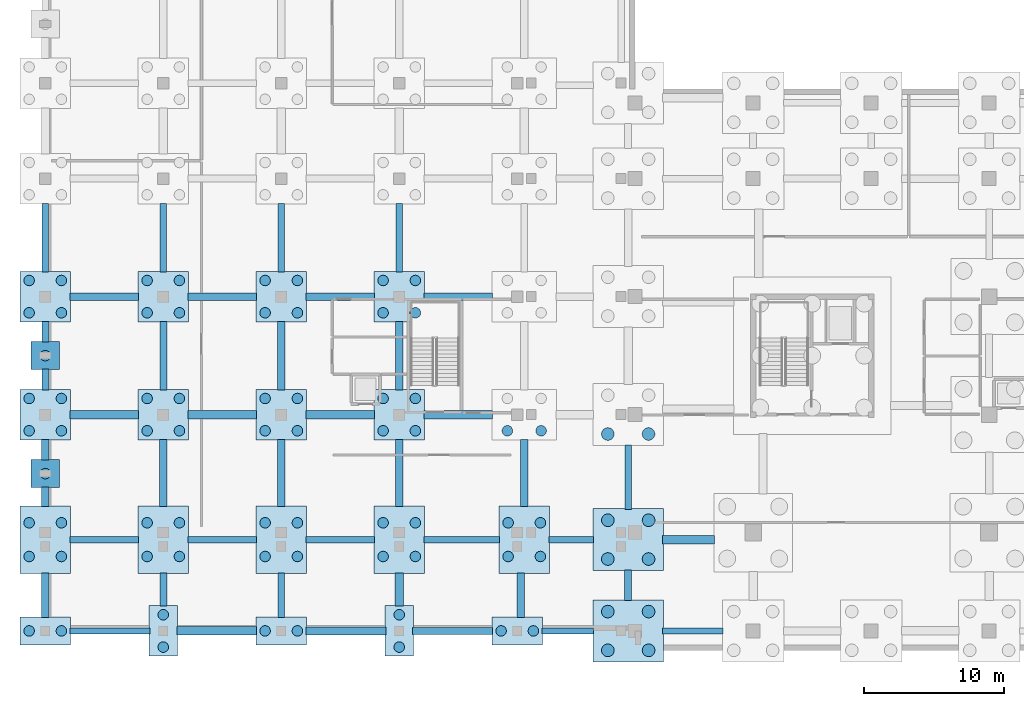
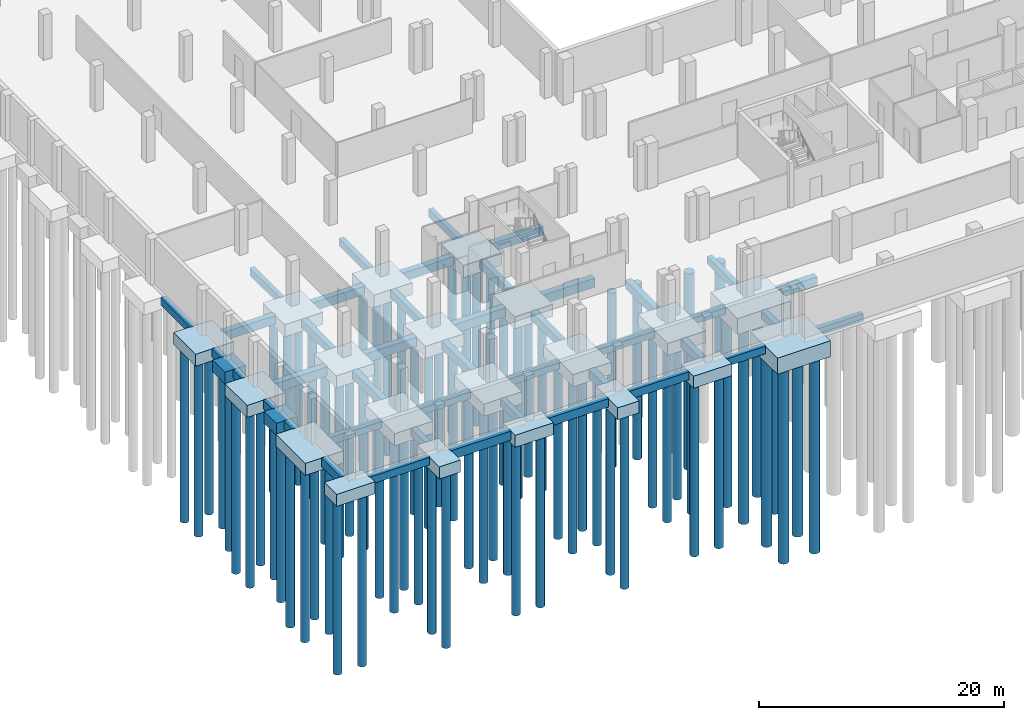
# One storey, part 1 of 17: 76 piles, 64 footings.
"""IFC4 building model written with IfcOpenShell, lengths in metres."""

from ifc_helpers import new_model, si_unit, direction, frame, origin, origin_2d, place, context, subcontext, project, spatial, rectangle, circle, extrude, material, material_profile, profile_set, type_object, element, save


model = new_model("IFC4")

# Units and contexts
model_context = context("Model", 3, precision=1e-05, world=origin(), true_north=direction((0.0, 1.0)))
body_context = subcontext(model_context, "Body", "Model", "MODEL_VIEW")
ifc_project = project(units=[si_unit("LENGTHUNIT", "METRE"), si_unit("AREAUNIT", "SQUARE_METRE"), si_unit("VOLUMEUNIT", "CUBIC_METRE"), si_unit("PLANEANGLEUNIT", "RADIAN"), si_unit("MASSUNIT", "GRAM", prefix="KILO")], contexts=[model_context])

# Site, building, storey
site_placement = place(None, origin())
site = spatial("IfcSite", under=ifc_project, at=site_placement, CompositionType="ELEMENT")
building_placement = place(site_placement, origin())
building = spatial("IfcBuilding", under=site, at=building_placement, Name="Telukmera Botanical Conservatory", CompositionType="ELEMENT")
storey_placement = place(building_placement, frame((0.0, 0.0, -4.5)))
storey = spatial("IfcBuildingStorey", under=building, at=storey_placement, Name="B1", CompositionType="ELEMENT", Elevation=-4.5)

# Footings
ifc_material_1 = material(Name="Concrete C50/60", Category="concrete")
footing_type_1 = type_object("IfcFootingType", Name="Cap_PC1", PredefinedType="PILE_CAP", material=ifc_material_1)
for number, where, z_axis, x_axis, name in (
    (1, (8.39990234375, 21.800048828125, -1.64990234375), (0.0, 0.0, 1.0), (1.0, 0.0, 0.0), "Pile Cap G132"),
    (2, (8.39990234375, 30.199951171875, -1.64990234375), (0.0, 0.0, 1.0), (1.0, 0.0, 0.0), "Pile Cap G133"),
):
    element("IfcFooting", number, at=place(storey_placement, frame(where, z_axis=z_axis, x_axis=x_axis)), inside=storey, type_object=footing_type_1, Name=name, PredefinedType="PILE_CAP", context=body_context, shape_type="SweptSolid", body=[
        extrude(rectangle(XDim=2.0, YDim=2.0, at=origin_2d()), origin(), (0.0, 0.0, 1.0), 1.199951171875),
    ])
footing_type_2 = type_object("IfcFootingType", Name="Cap_PC2", PredefinedType="PILE_CAP", material=ifc_material_1)
for number, where, z_axis, x_axis, name in (
    (3, (8.39990234375, 10.60009765625, -1.64990234375), (0.0, 0.0, 1.0), (1.0, 0.0, 0.0), "Pile Cap G136"),
    (4, (25.199951171875, 10.60009765625, -1.64990234375), (0.0, 0.0, 1.0), (1.0, 0.0, 0.0), "Pile Cap G138"),
    (5, (42.0, 10.60009765625, -1.64990234375), (0.0, 0.0, 1.0), (1.0, 0.0, 0.0), "Pile Cap G140"),
):
    element("IfcFooting", number, at=place(storey_placement, frame(where, z_axis=z_axis, x_axis=x_axis)), inside=storey, type_object=footing_type_2, Name=name, PredefinedType="PILE_CAP", context=body_context, shape_type="SweptSolid", body=[
        extrude(rectangle(XDim=3.60009765625, YDim=2.0, at=origin_2d()), origin(), (0.0, 0.0, 1.0), 1.199951171875),
    ])
footing_type_3 = type_object("IfcFootingType", Name="Cap_PC3", PredefinedType="PILE_CAP", material=ifc_material_1)
for number, where, z_axis, x_axis, name in (
    (6, (16.800048828125, 10.60009765625, -1.64990234375), (0.0, 0.0, 1.0), (1.0, 0.0, 0.0), "Pile Cap G137"),
    (7, (33.60009765625, 10.60009765625, -1.64990234375), (0.0, 0.0, 1.0), (1.0, 0.0, 0.0), "Pile Cap G139"),
):
    element("IfcFooting", number, at=place(storey_placement, frame(where, z_axis=z_axis, x_axis=x_axis)), inside=storey, type_object=footing_type_3, Name=name, PredefinedType="PILE_CAP", context=body_context, shape_type="SweptSolid", body=[
        extrude(rectangle(XDim=2.0, YDim=3.60009765625, at=origin_2d()), origin(), (0.0, 0.0, 1.0), 1.199951171875),
    ])
footing_type_4 = type_object("IfcFootingType", Name="Cap_PC4", PredefinedType="PILE_CAP", material=ifc_material_1)
for number, where, z_axis, x_axis, name in (
    (8, (8.39990234375, 26.0, -1.64990234375), (0.0, 0.0, 1.0), (1.0, 0.0, 0.0), "Pile Cap G093"),
    (9, (8.39990234375, 34.39990234375, -1.64990234375), (0.0, 0.0, 1.0), (1.0, 0.0, 0.0), "Pile Cap G094"),
    (10, (16.800048828125, 26.0, -1.64990234375), (0.0, 0.0, 1.0), (1.0, 0.0, 0.0), "Pile Cap G101"),
    (11, (16.800048828125, 34.39990234375, -1.64990234375), (0.0, 0.0, 1.0), (1.0, 0.0, 0.0), "Pile Cap G102"),
    (12, (25.199951171875, 26.0, -1.64990234375), (0.0, 0.0, 1.0), (1.0, 0.0, 0.0), "Pile Cap G109"),
    (13, (25.199951171875, 34.39990234375, -1.64990234375), (0.0, 0.0, 1.0), (1.0, 0.0, 0.0), "Pile Cap G110"),
    (14, (33.60009765625, 26.0, -1.64990234375), (0.0, 0.0, 1.0), (1.0, 0.0, 0.0), "Pile Cap G117"),
    (15, (33.60009765625, 34.39990234375, -1.64990234375), (0.0, 0.0, 1.0), (1.0, 0.0, 0.0), "Pile Cap G118"),
):
    element("IfcFooting", number, at=place(storey_placement, frame(where, z_axis=z_axis, x_axis=x_axis)), inside=storey, type_object=footing_type_4, Name=name, PredefinedType="PILE_CAP", context=body_context, shape_type="SweptSolid", body=[
        extrude(rectangle(XDim=3.60009765625, YDim=3.60009765625, at=origin_2d()), origin(), (0.0, 0.0, 1.0), 1.199951171875),
    ])
footing_type_5 = type_object("IfcFootingType", Name="Cap_PC6", PredefinedType="PILE_CAP", material=ifc_material_1)
for number, where, z_axis, x_axis, name in (
    (16, (8.39990234375, 17.10009765625, -1.64990234375), (0.0, 0.0, 1.0), (1.0, 0.0, 0.0), "Pile Cap G092"),
    (17, (16.800048828125, 17.10009765625, -1.64990234375), (0.0, 0.0, 1.0), (1.0, 0.0, 0.0), "Pile Cap G100"),
    (18, (25.199951171875, 17.10009765625, -1.64990234375), (0.0, 0.0, 1.0), (1.0, 0.0, 0.0), "Pile Cap G108"),
    (19, (33.60009765625, 17.10009765625, -1.64990234375), (0.0, 0.0, 1.0), (1.0, 0.0, 0.0), "Pile Cap G116"),
    (20, (42.5, 17.10009765625, -1.64990234375), (0.0, 0.0, 1.0), (1.0, 0.0, 0.0), "Pile Cap G124"),
):
    element("IfcFooting", number, at=place(storey_placement, frame(where, z_axis=z_axis, x_axis=x_axis)), inside=storey, type_object=footing_type_5, Name=name, PredefinedType="PILE_CAP", context=body_context, shape_type="SweptSolid", body=[
        extrude(rectangle(XDim=3.60009765625, YDim=4.800048828125, at=origin_2d()), origin(), (0.0, 0.0, 1.0), 1.199951171875),
    ])
footing_type_6 = type_object("IfcFootingType", Name="Cap_PC8", PredefinedType="PILE_CAP", material=ifc_material_1)
for number, where, z_axis, x_axis, name in (
    (21, (49.89990234375, 10.60009765625, -2.050048828125), (0.0, 0.0, 1.0), (1.0, 0.0, 0.0), "Pile Cap G001"),
    (22, (49.89990234375, 17.10009765625, -2.050048828125), (0.0, 0.0, 1.0), (1.0, 0.0, 0.0), "Pile Cap G002"),
):
    element("IfcFooting", number, at=place(storey_placement, frame(where, z_axis=z_axis, x_axis=x_axis)), inside=storey, type_object=footing_type_6, Name=name, PredefinedType="PILE_CAP", context=body_context, shape_type="SweptSolid", body=[
        extrude(rectangle(XDim=5.0, YDim=4.39990234375, at=origin_2d()), origin(), (0.0, 0.0, 1.0), 1.60009765625),
    ])
ifc_material_2 = material(Name="Concrete C40/50", Category="concrete")
ifc_material_profile_1 = material_profile(ifc_material_2, rectangle(XDim=0.60009765625, YDim=0.89990234375, at=origin_2d()), Name="RC 600x900")
ifc_profile_set_1 = profile_set([ifc_material_profile_1], Name="Concrete C40/50")
footing_type_7 = type_object("IfcFootingType", Name="GroundBeam_GB1", PredefinedType="FOOTING_BEAM", material=ifc_profile_set_1)
footing_1_placement = place(storey_placement, frame((52.360107421875, 17.10009765625, -0.89990234375), z_axis=(1.0, 0.0, 0.0), x_axis=(0.0, 1.0, 0.0)))
element("IfcFooting", 23, at=footing_1_placement, inside=storey, type_object=footing_type_7, Name="Ground Tie Beam GBX-004", PredefinedType="FOOTING_BEAM", context=body_context, shape_type="SweptSolid", body=[
    extrude(rectangle(XDim=0.60009765625, YDim=0.89990234375, at=origin_2d()), origin(), (0.0, 0.0, 1.0), 3.679931640625),
])
footing_2_placement = place(storey_placement, frame((10.159912109375, 26.0, -0.89990234375), z_axis=(1.0, 0.0, 0.0), x_axis=(0.0, 1.0, 0.0)))
element("IfcFooting", 24, at=footing_2_placement, inside=storey, type_object=footing_type_7, Name="Ground Tie Beam GBX-080", PredefinedType="FOOTING_BEAM", context=body_context, shape_type="SweptSolid", body=[
    extrude(rectangle(XDim=0.60009765625, YDim=0.89990234375, at=origin_2d()), origin(), (0.0, 0.0, 1.0), 4.880126953125),
])
footing_3_placement = place(storey_placement, frame((18.56005859375, 26.0, -0.89990234375), z_axis=(1.0, 0.0, 0.0), x_axis=(0.0, 1.0, 0.0)))
element("IfcFooting", 25, at=footing_3_placement, inside=storey, type_object=footing_type_7, Name="Ground Tie Beam GBX-088", PredefinedType="FOOTING_BEAM", context=body_context, shape_type="SweptSolid", body=[
    extrude(rectangle(XDim=0.60009765625, YDim=0.89990234375, at=origin_2d()), origin(), (0.0, 0.0, 1.0), 4.8798828125),
])
footing_4_placement = place(storey_placement, frame((26.9599609375, 26.0, -0.89990234375), z_axis=(1.0, 0.0, 0.0), x_axis=(0.0, 1.0, 0.0)))
element("IfcFooting", 26, at=footing_4_placement, inside=storey, type_object=footing_type_7, Name="Ground Tie Beam GBX-096", PredefinedType="FOOTING_BEAM", context=body_context, shape_type="SweptSolid", body=[
    extrude(rectangle(XDim=0.60009765625, YDim=0.89990234375, at=origin_2d()), origin(), (0.0, 0.0, 1.0), 4.880126953125),
])
footing_5_placement = place(storey_placement, frame((35.360107421875, 26.0, -0.89990234375), z_axis=(1.0, 0.0, 0.0), x_axis=(0.0, 1.0, 0.0)))
element("IfcFooting", 27, at=footing_5_placement, inside=storey, type_object=footing_type_7, Name="Ground Tie Beam GBX-104", PredefinedType="FOOTING_BEAM", context=body_context, shape_type="SweptSolid", body=[
    extrude(rectangle(XDim=0.60009765625, YDim=0.89990234375, at=origin_2d()), origin(), (0.0, 0.0, 1.0), 4.8798828125),
])
footing_6_placement = place(storey_placement, frame((17.760009765625, 10.60009765625, -0.89990234375), z_axis=(1.0, 0.0, 0.0), x_axis=(0.0, 1.0, 0.0)))
element("IfcFooting", 28, at=footing_6_placement, inside=storey, type_object=footing_type_7, Name="Ground Tie Beam GBX-120", PredefinedType="FOOTING_BEAM", context=body_context, shape_type="SweptSolid", body=[
    extrude(rectangle(XDim=0.60009765625, YDim=0.89990234375, at=origin_2d()), origin(), (0.0, 0.0, 1.0), 5.679931640625),
])
footing_7_placement = place(storey_placement, frame((33.60009765625, 12.360107421875, -0.89990234375), z_axis=(0.0, 1.0, 0.0), x_axis=(-1.0, 0.0, 0.0)))
element("IfcFooting", 29, at=footing_7_placement, inside=storey, type_object=footing_type_7, Name="Ground Tie Beam GBY-240", PredefinedType="FOOTING_BEAM", context=body_context, shape_type="SweptSolid", body=[
    extrude(rectangle(XDim=0.60009765625, YDim=0.89990234375, at=origin_2d()), origin(), (0.0, 0.0, 1.0), 2.3798828125),
])
ifc_material_profile_2 = material_profile(ifc_material_2, rectangle(XDim=0.550048828125, YDim=0.85009765625, at=origin_2d()), Name="RC 550x850")
ifc_profile_set_2 = profile_set([ifc_material_profile_2], Name="Concrete C40/50")
footing_type_8 = type_object("IfcFootingType", Name="GroundBeam_GB2", PredefinedType="FOOTING_BEAM", material=ifc_profile_set_2)
footing_8_placement = place(storey_placement, frame((10.159912109375, 34.39990234375, -0.875), z_axis=(1.0, 0.0, 0.0), x_axis=(0.0, 1.0, 0.0)))
element("IfcFooting", 30, at=footing_8_placement, inside=storey, type_object=footing_type_8, Name="Ground Tie Beam GBX-081", PredefinedType="FOOTING_BEAM", context=body_context, shape_type="SweptSolid", body=[
    extrude(rectangle(XDim=0.550048828125, YDim=0.85009765625, at=origin_2d()), origin(), (0.0, 0.0, 1.0), 4.880126953125),
])
footing_9_placement = place(storey_placement, frame((18.56005859375, 34.39990234375, -0.875), z_axis=(1.0, 0.0, 0.0), x_axis=(0.0, 1.0, 0.0)))
element("IfcFooting", 31, at=footing_9_placement, inside=storey, type_object=footing_type_8, Name="Ground Tie Beam GBX-089", PredefinedType="FOOTING_BEAM", context=body_context, shape_type="SweptSolid", body=[
    extrude(rectangle(XDim=0.550048828125, YDim=0.85009765625, at=origin_2d()), origin(), (0.0, 0.0, 1.0), 4.8798828125),
])
footing_10_placement = place(storey_placement, frame((26.9599609375, 34.39990234375, -0.875), z_axis=(1.0, 0.0, 0.0), x_axis=(0.0, 1.0, 0.0)))
element("IfcFooting", 32, at=footing_10_placement, inside=storey, type_object=footing_type_8, Name="Ground Tie Beam GBX-097", PredefinedType="FOOTING_BEAM", context=body_context, shape_type="SweptSolid", body=[
    extrude(rectangle(XDim=0.550048828125, YDim=0.85009765625, at=origin_2d()), origin(), (0.0, 0.0, 1.0), 4.880126953125),
])
footing_11_placement = place(storey_placement, frame((35.360107421875, 34.39990234375, -0.875), z_axis=(1.0, 0.0, 0.0), x_axis=(0.0, 1.0, 0.0)))
element("IfcFooting", 33, at=footing_11_placement, inside=storey, type_object=footing_type_8, Name="Ground Tie Beam GBX-105", PredefinedType="FOOTING_BEAM", context=body_context, shape_type="SweptSolid", body=[
    extrude(rectangle(XDim=0.550048828125, YDim=0.85009765625, at=origin_2d()), origin(), (0.0, 0.0, 1.0), 4.8798828125),
])
footing_12_placement = place(storey_placement, frame((26.9599609375, 10.60009765625, -0.875), z_axis=(1.0, 0.0, 0.0), x_axis=(0.0, 1.0, 0.0)))
element("IfcFooting", 34, at=footing_12_placement, inside=storey, type_object=footing_type_8, Name="Ground Tie Beam GBX-121", PredefinedType="FOOTING_BEAM", context=body_context, shape_type="SweptSolid", body=[
    extrude(rectangle(XDim=0.550048828125, YDim=0.85009765625, at=origin_2d()), origin(), (0.0, 0.0, 1.0), 5.679931640625),
])
footing_13_placement = place(storey_placement, frame((8.39990234375, 19.4599609375, -0.875), z_axis=(0.0, 1.0, 0.0), x_axis=(-1.0, 0.0, 0.0)))
element("IfcFooting", 35, at=footing_13_placement, inside=storey, type_object=footing_type_8, Name="Ground Tie Beam GBY-193", PredefinedType="FOOTING_BEAM", context=body_context, shape_type="SweptSolid", body=[
    extrude(rectangle(XDim=0.550048828125, YDim=0.85009765625, at=origin_2d()), origin(), (0.0, 0.0, 1.0), 1.380126953125),
])
for number, where, z_axis, x_axis, name in (
    (36, (16.800048828125, 19.4599609375, -0.875), (0.0, 1.0, 0.0), (-1.0, 0.0, 0.0), "Ground Tie Beam GBY-201"),
    (37, (25.199951171875, 19.4599609375, -0.875), (0.0, 1.0, 0.0), (-1.0, 0.0, 0.0), "Ground Tie Beam GBY-209"),
    (38, (33.60009765625, 19.4599609375, -0.875), (0.0, 1.0, 0.0), (-1.0, 0.0, 0.0), "Ground Tie Beam GBY-217"),
    (39, (42.5, 19.4599609375, -0.875), (0.0, 1.0, 0.0), (-1.0, 0.0, 0.0), "Ground Tie Beam GBY-225"),
):
    element("IfcFooting", number, at=place(storey_placement, frame(where, z_axis=z_axis, x_axis=x_axis)), inside=storey, type_object=footing_type_8, Name=name, PredefinedType="FOOTING_BEAM", context=body_context, shape_type="SweptSolid", body=[
        extrude(rectangle(XDim=0.550048828125, YDim=0.85009765625, at=origin_2d()), origin(), (0.0, 0.0, 1.0), 4.780029296875),
    ])
footing_14_placement = place(storey_placement, frame((8.39990234375, 22.760009765625, -0.875), z_axis=(0.0, 1.0, 0.0), x_axis=(-1.0, 0.0, 0.0)))
element("IfcFooting", 40, at=footing_14_placement, inside=storey, type_object=footing_type_8, Name="Ground Tie Beam GBY-233", PredefinedType="FOOTING_BEAM", context=body_context, shape_type="SweptSolid", body=[
    extrude(rectangle(XDim=0.550048828125, YDim=0.85009765625, at=origin_2d()), origin(), (0.0, 0.0, 1.0), 1.47998046875),
])
for number, where, z_axis, x_axis, name in (
    (41, (8.39990234375, 11.56005859375, -0.875), (0.0, 1.0, 0.0), (-1.0, 0.0, 0.0), "Ground Tie Beam GBY-237"),
    (42, (42.25, 11.56005859375, -0.875), (0.0, 1.0, 0.0), (-1.0, 0.0, 0.0), "Ground Tie Beam GBY-241"),
):
    element("IfcFooting", number, at=place(storey_placement, frame(where, z_axis=z_axis, x_axis=x_axis)), inside=storey, type_object=footing_type_8, Name=name, PredefinedType="FOOTING_BEAM", context=body_context, shape_type="SweptSolid", body=[
        extrude(rectangle(XDim=0.550048828125, YDim=0.85009765625, at=origin_2d()), origin(), (0.0, 0.0, 1.0), 3.179931640625),
    ])
ifc_material_profile_3 = material_profile(ifc_material_2, rectangle(XDim=0.5, YDim=0.800048828125, at=origin_2d()), Name="RC 500x800")
ifc_profile_set_3 = profile_set([ifc_material_profile_3], Name="Concrete C40/50")
footing_type_9 = type_object("IfcFootingType", Name="GroundBeam_GB3", PredefinedType="FOOTING_BEAM", material=ifc_profile_set_3)
footing_15_placement = place(storey_placement, frame((34.56005859375, 10.60009765625, -0.85009765625), z_axis=(1.0, 0.0, 0.0), x_axis=(0.0, 1.0, 0.0)))
element("IfcFooting", 43, at=footing_15_placement, inside=storey, type_object=footing_type_9, Name="Ground Tie Beam GBX-122", PredefinedType="FOOTING_BEAM", context=body_context, shape_type="SweptSolid", body=[
    extrude(rectangle(XDim=0.5, YDim=0.800048828125, at=origin_2d()), origin(), (0.0, 0.0, 1.0), 5.679931640625),
])
footing_16_placement = place(storey_placement, frame((49.89990234375, 12.760009765625, -0.85009765625), z_axis=(0.0, 1.0, 0.0), x_axis=(-1.0, 0.0, 0.0)))
element("IfcFooting", 44, at=footing_16_placement, inside=storey, type_object=footing_type_9, Name="Ground Tie Beam GBY-126", PredefinedType="FOOTING_BEAM", context=body_context, shape_type="SweptSolid", body=[
    extrude(rectangle(XDim=0.5, YDim=0.800048828125, at=origin_2d()), origin(), (0.0, 0.0, 1.0), 2.179931640625),
])
footing_17_placement = place(storey_placement, frame((8.39990234375, 27.760009765625, -0.85009765625), z_axis=(0.0, 1.0, 0.0), x_axis=(-1.0, 0.0, 0.0)))
element("IfcFooting", 45, at=footing_17_placement, inside=storey, type_object=footing_type_9, Name="Ground Tie Beam GBY-194", PredefinedType="FOOTING_BEAM", context=body_context, shape_type="SweptSolid", body=[
    extrude(rectangle(XDim=0.5, YDim=0.800048828125, at=origin_2d()), origin(), (0.0, 0.0, 1.0), 1.47998046875),
])
for number, where, z_axis, x_axis, name in (
    (46, (16.800048828125, 27.760009765625, -0.85009765625), (0.0, 1.0, 0.0), (-1.0, 0.0, 0.0), "Ground Tie Beam GBY-202"),
    (47, (25.199951171875, 27.760009765625, -0.85009765625), (0.0, 1.0, 0.0), (-1.0, 0.0, 0.0), "Ground Tie Beam GBY-210"),
    (48, (33.60009765625, 27.760009765625, -0.85009765625), (0.0, 1.0, 0.0), (-1.0, 0.0, 0.0), "Ground Tie Beam GBY-218"),
):
    element("IfcFooting", number, at=place(storey_placement, frame(where, z_axis=z_axis, x_axis=x_axis)), inside=storey, type_object=footing_type_9, Name=name, PredefinedType="FOOTING_BEAM", context=body_context, shape_type="SweptSolid", body=[
        extrude(rectangle(XDim=0.5, YDim=0.800048828125, at=origin_2d()), origin(), (0.0, 0.0, 1.0), 4.8798828125),
    ])
footing_18_placement = place(storey_placement, frame((8.39990234375, 31.159912109375, -0.85009765625), z_axis=(0.0, 1.0, 0.0), x_axis=(-1.0, 0.0, 0.0)))
element("IfcFooting", 49, at=footing_18_placement, inside=storey, type_object=footing_type_9, Name="Ground Tie Beam GBY-234", PredefinedType="FOOTING_BEAM", context=body_context, shape_type="SweptSolid", body=[
    extrude(rectangle(XDim=0.5, YDim=0.800048828125, at=origin_2d()), origin(), (0.0, 0.0, 1.0), 1.47998046875),
])
footing_19_placement = place(storey_placement, frame((16.800048828125, 12.360107421875, -0.85009765625), z_axis=(0.0, 1.0, 0.0), x_axis=(-1.0, 0.0, 0.0)))
element("IfcFooting", 50, at=footing_19_placement, inside=storey, type_object=footing_type_9, Name="Ground Tie Beam GBY-238", PredefinedType="FOOTING_BEAM", context=body_context, shape_type="SweptSolid", body=[
    extrude(rectangle(XDim=0.5, YDim=0.800048828125, at=origin_2d()), origin(), (0.0, 0.0, 1.0), 2.3798828125),
])
ifc_material_profile_4 = material_profile(ifc_material_2, rectangle(XDim=0.449951171875, YDim=0.75, at=origin_2d()), Name="RC 450x750")
ifc_profile_set_4 = profile_set([ifc_material_profile_4], Name="Concrete C40/50")
footing_type_10 = type_object("IfcFootingType", Name="GroundBeam_GB4", PredefinedType="FOOTING_BEAM", material=ifc_profile_set_4)
footing_20_placement = place(storey_placement, frame((52.360107421875, 10.60009765625, -0.824951171875), z_axis=(1.0, 0.0, 0.0), x_axis=(0.0, 1.0, 0.0)))
element("IfcFooting", 51, at=footing_20_placement, inside=storey, type_object=footing_type_10, Name="Ground Tie Beam GBX-003", PredefinedType="FOOTING_BEAM", context=body_context, shape_type="SweptSolid", body=[
    extrude(rectangle(XDim=0.449951171875, YDim=0.75, at=origin_2d()), origin(), (0.0, 0.0, 1.0), 4.27978515625),
])
footing_21_placement = place(storey_placement, frame((10.159912109375, 17.10009765625, -0.824951171875), z_axis=(1.0, 0.0, 0.0), x_axis=(0.0, 1.0, 0.0)))
element("IfcFooting", 52, at=footing_21_placement, inside=storey, type_object=footing_type_10, Name="Ground Tie Beam GBX-079", PredefinedType="FOOTING_BEAM", context=body_context, shape_type="SweptSolid", body=[
    extrude(rectangle(XDim=0.449951171875, YDim=0.75, at=origin_2d()), origin(), (0.0, 0.0, 1.0), 4.880126953125),
])
footing_22_placement = place(storey_placement, frame((18.56005859375, 17.10009765625, -0.824951171875), z_axis=(1.0, 0.0, 0.0), x_axis=(0.0, 1.0, 0.0)))
element("IfcFooting", 53, at=footing_22_placement, inside=storey, type_object=footing_type_10, Name="Ground Tie Beam GBX-087", PredefinedType="FOOTING_BEAM", context=body_context, shape_type="SweptSolid", body=[
    extrude(rectangle(XDim=0.449951171875, YDim=0.75, at=origin_2d()), origin(), (0.0, 0.0, 1.0), 4.8798828125),
])
footing_23_placement = place(storey_placement, frame((26.9599609375, 17.10009765625, -0.824951171875), z_axis=(1.0, 0.0, 0.0), x_axis=(0.0, 1.0, 0.0)))
element("IfcFooting", 54, at=footing_23_placement, inside=storey, type_object=footing_type_10, Name="Ground Tie Beam GBX-095", PredefinedType="FOOTING_BEAM", context=body_context, shape_type="SweptSolid", body=[
    extrude(rectangle(XDim=0.449951171875, YDim=0.75, at=origin_2d()), origin(), (0.0, 0.0, 1.0), 4.880126953125),
])
footing_24_placement = place(storey_placement, frame((35.360107421875, 17.10009765625, -0.824951171875), z_axis=(1.0, 0.0, 0.0), x_axis=(0.0, 1.0, 0.0)))
element("IfcFooting", 55, at=footing_24_placement, inside=storey, type_object=footing_type_10, Name="Ground Tie Beam GBX-103", PredefinedType="FOOTING_BEAM", context=body_context, shape_type="SweptSolid", body=[
    extrude(rectangle(XDim=0.449951171875, YDim=0.75, at=origin_2d()), origin(), (0.0, 0.0, 1.0), 5.3798828125),
])
footing_25_placement = place(storey_placement, frame((44.260009765625, 17.10009765625, -0.824951171875), z_axis=(1.0, 0.0, 0.0), x_axis=(0.0, 1.0, 0.0)))
element("IfcFooting", 56, at=footing_25_placement, inside=storey, type_object=footing_type_10, Name="Ground Tie Beam GBX-111", PredefinedType="FOOTING_BEAM", context=body_context, shape_type="SweptSolid", body=[
    extrude(rectangle(XDim=0.449951171875, YDim=0.75, at=origin_2d()), origin(), (0.0, 0.0, 1.0), 3.179931640625),
])
footing_26_placement = place(storey_placement, frame((10.159912109375, 10.60009765625, -0.824951171875), z_axis=(1.0, 0.0, 0.0), x_axis=(0.0, 1.0, 0.0)))
element("IfcFooting", 57, at=footing_26_placement, inside=storey, type_object=footing_type_10, Name="Ground Tie Beam GBX-119", PredefinedType="FOOTING_BEAM", context=body_context, shape_type="SweptSolid", body=[
    extrude(rectangle(XDim=0.449951171875, YDim=0.75, at=origin_2d()), origin(), (0.0, 0.0, 1.0), 5.68017578125),
])
footing_27_placement = place(storey_placement, frame((43.760009765625, 10.60009765625, -0.824951171875), z_axis=(1.0, 0.0, 0.0), x_axis=(0.0, 1.0, 0.0)))
element("IfcFooting", 58, at=footing_27_placement, inside=storey, type_object=footing_type_10, Name="Ground Tie Beam GBX-123", PredefinedType="FOOTING_BEAM", context=body_context, shape_type="SweptSolid", body=[
    extrude(rectangle(XDim=0.449951171875, YDim=0.75, at=origin_2d()), origin(), (0.0, 0.0, 1.0), 3.679931640625),
])
footing_28_placement = place(storey_placement, frame((49.89990234375, 19.260009765625, -0.824951171875), z_axis=(0.0, 1.0, 0.0), x_axis=(-1.0, 0.0, 0.0)))
element("IfcFooting", 59, at=footing_28_placement, inside=storey, type_object=footing_type_10, Name="Ground Tie Beam GBY-127", PredefinedType="FOOTING_BEAM", context=body_context, shape_type="SweptSolid", body=[
    extrude(rectangle(XDim=0.449951171875, YDim=0.75, at=origin_2d()), origin(), (0.0, 0.0, 1.0), 4.580078125),
])
for number, where, z_axis, x_axis, name in (
    (60, (8.39990234375, 36.159912109375, -0.824951171875), (0.0, 1.0, 0.0), (-1.0, 0.0, 0.0), "Ground Tie Beam GBY-195"),
    (61, (16.800048828125, 36.159912109375, -0.824951171875), (0.0, 1.0, 0.0), (-1.0, 0.0, 0.0), "Ground Tie Beam GBY-203"),
    (62, (25.199951171875, 36.159912109375, -0.824951171875), (0.0, 1.0, 0.0), (-1.0, 0.0, 0.0), "Ground Tie Beam GBY-211"),
    (63, (33.60009765625, 36.159912109375, -0.824951171875), (0.0, 1.0, 0.0), (-1.0, 0.0, 0.0), "Ground Tie Beam GBY-219"),
):
    element("IfcFooting", number, at=place(storey_placement, frame(where, z_axis=z_axis, x_axis=x_axis)), inside=storey, type_object=footing_type_10, Name=name, PredefinedType="FOOTING_BEAM", context=body_context, shape_type="SweptSolid", body=[
        extrude(rectangle(XDim=0.449951171875, YDim=0.75, at=origin_2d()), origin(), (0.0, 0.0, 1.0), 4.880126953125),
    ])
footing_29_placement = place(storey_placement, frame((25.199951171875, 11.56005859375, -0.824951171875), z_axis=(0.0, 1.0, 0.0), x_axis=(-1.0, 0.0, 0.0)))
element("IfcFooting", 64, at=footing_29_placement, inside=storey, type_object=footing_type_10, Name="Ground Tie Beam GBY-239", PredefinedType="FOOTING_BEAM", context=body_context, shape_type="SweptSolid", body=[
    extrude(rectangle(XDim=0.449951171875, YDim=0.75, at=origin_2d()), origin(), (0.0, 0.0, 1.0), 3.179931640625),
])

# Piles
ifc_material_profile_5 = material_profile(ifc_material_2, circle(Radius=0.449951171875, at=origin_2d()), Name="PILE D900")
ifc_profile_set_5 = profile_set([ifc_material_profile_5], Name="Concrete C40/50")
pile_type_1 = type_object("IfcPileType", Name="Pile_PL2", PredefinedType="BORED", material=ifc_profile_set_5)
for number, where, z_axis, x_axis, name in (
    (65, (48.449951171875, 9.219970703125, -1.949951171875), (0.0, 0.0, -1.0), (1.0, 0.0, 0.0), "Bored Pile G001-1"),
    (66, (51.35009765625, 9.219970703125, -1.949951171875), (0.0, 0.0, -1.0), (1.0, 0.0, 0.0), "Bored Pile G001-2"),
    (67, (48.449951171875, 11.97998046875, -1.949951171875), (0.0, 0.0, -1.0), (1.0, 0.0, 0.0), "Bored Pile G001-3"),
    (68, (51.35009765625, 11.97998046875, -1.949951171875), (0.0, 0.0, -1.0), (1.0, 0.0, 0.0), "Bored Pile G001-4"),
    (69, (48.449951171875, 15.719970703125, -1.949951171875), (0.0, 0.0, -1.0), (1.0, 0.0, 0.0), "Bored Pile G002-1"),
    (70, (51.35009765625, 15.719970703125, -1.949951171875), (0.0, 0.0, -1.0), (1.0, 0.0, 0.0), "Bored Pile G002-2"),
    (71, (48.449951171875, 18.47998046875, -1.949951171875), (0.0, 0.0, -1.0), (1.0, 0.0, 0.0), "Bored Pile G002-3"),
    (72, (51.35009765625, 18.47998046875, -1.949951171875), (0.0, 0.0, -1.0), (1.0, 0.0, 0.0), "Bored Pile G002-4"),
    (73, (48.449951171875, 24.6201171875, -1.949951171875), (0.0, 0.0, -1.0), (1.0, 0.0, 0.0), "Bored Pile G003-1"),
    (74, (51.35009765625, 24.6201171875, -1.949951171875), (0.0, 0.0, -1.0), (1.0, 0.0, 0.0), "Bored Pile G003-2"),
):
    element("IfcPile", number, at=place(storey_placement, frame(where, z_axis=z_axis, x_axis=x_axis)), inside=storey, type_object=pile_type_1, Name=name, PredefinedType="BORED", context=body_context, shape_type="SweptSolid", body=[
        extrude(circle(Radius=0.449951171875, at=origin_2d()), origin(), (0.0, 0.0, 1.0), 19.550048828125),
    ])
ifc_material_profile_6 = material_profile(ifc_material_2, circle(Radius=0.375, at=origin_2d()), Name="PILE D750")
ifc_profile_set_6 = profile_set([ifc_material_profile_6], Name="Concrete C40/50")
pile_type_2 = type_object("IfcPileType", Name="Pile_PL3", PredefinedType="BORED", material=ifc_profile_set_6)
for number, where, z_axis, x_axis, name in (
    (75, (7.25, 15.89990234375, -1.550048828125), (0.0, 0.0, -1.0), (1.0, 0.0, 0.0), "Bored Pile G092-1"),
    (76, (9.550048828125, 15.89990234375, -1.550048828125), (0.0, 0.0, -1.0), (1.0, 0.0, 0.0), "Bored Pile G092-2"),
    (77, (7.25, 18.300048828125, -1.550048828125), (0.0, 0.0, -1.0), (1.0, 0.0, 0.0), "Bored Pile G092-3"),
    (78, (9.550048828125, 18.300048828125, -1.550048828125), (0.0, 0.0, -1.0), (1.0, 0.0, 0.0), "Bored Pile G092-4"),
    (79, (7.25, 24.85009765625, -1.550048828125), (0.0, 0.0, -1.0), (1.0, 0.0, 0.0), "Bored Pile G093-1"),
    (80, (9.550048828125, 24.85009765625, -1.550048828125), (0.0, 0.0, -1.0), (1.0, 0.0, 0.0), "Bored Pile G093-2"),
    (81, (7.25, 27.14990234375, -1.550048828125), (0.0, 0.0, -1.0), (1.0, 0.0, 0.0), "Bored Pile G093-3"),
    (82, (9.550048828125, 27.14990234375, -1.550048828125), (0.0, 0.0, -1.0), (1.0, 0.0, 0.0), "Bored Pile G093-4"),
    (83, (7.25, 33.25, -1.550048828125), (0.0, 0.0, -1.0), (1.0, 0.0, 0.0), "Bored Pile G094-1"),
    (84, (9.550048828125, 33.25, -1.550048828125), (0.0, 0.0, -1.0), (1.0, 0.0, 0.0), "Bored Pile G094-2"),
    (85, (7.25, 35.550048828125, -1.550048828125), (0.0, 0.0, -1.0), (1.0, 0.0, 0.0), "Bored Pile G094-3"),
    (86, (9.550048828125, 35.550048828125, -1.550048828125), (0.0, 0.0, -1.0), (1.0, 0.0, 0.0), "Bored Pile G094-4"),
    (87, (15.64990234375, 15.89990234375, -1.550048828125), (0.0, 0.0, -1.0), (1.0, 0.0, 0.0), "Bored Pile G100-1"),
    (88, (17.949951171875, 15.89990234375, -1.550048828125), (0.0, 0.0, -1.0), (1.0, 0.0, 0.0), "Bored Pile G100-2"),
    (89, (15.64990234375, 18.300048828125, -1.550048828125), (0.0, 0.0, -1.0), (1.0, 0.0, 0.0), "Bored Pile G100-3"),
    (90, (17.949951171875, 18.300048828125, -1.550048828125), (0.0, 0.0, -1.0), (1.0, 0.0, 0.0), "Bored Pile G100-4"),
    (91, (15.64990234375, 24.85009765625, -1.550048828125), (0.0, 0.0, -1.0), (1.0, 0.0, 0.0), "Bored Pile G101-1"),
    (92, (17.949951171875, 24.85009765625, -1.550048828125), (0.0, 0.0, -1.0), (1.0, 0.0, 0.0), "Bored Pile G101-2"),
    (93, (15.64990234375, 27.14990234375, -1.550048828125), (0.0, 0.0, -1.0), (1.0, 0.0, 0.0), "Bored Pile G101-3"),
    (94, (17.949951171875, 27.14990234375, -1.550048828125), (0.0, 0.0, -1.0), (1.0, 0.0, 0.0), "Bored Pile G101-4"),
    (95, (15.64990234375, 33.25, -1.550048828125), (0.0, 0.0, -1.0), (1.0, 0.0, 0.0), "Bored Pile G102-1"),
    (96, (17.949951171875, 33.25, -1.550048828125), (0.0, 0.0, -1.0), (1.0, 0.0, 0.0), "Bored Pile G102-2"),
    (97, (15.64990234375, 35.550048828125, -1.550048828125), (0.0, 0.0, -1.0), (1.0, 0.0, 0.0), "Bored Pile G102-3"),
    (98, (17.949951171875, 35.550048828125, -1.550048828125), (0.0, 0.0, -1.0), (1.0, 0.0, 0.0), "Bored Pile G102-4"),
    (99, (24.050048828125, 15.89990234375, -1.550048828125), (0.0, 0.0, -1.0), (1.0, 0.0, 0.0), "Bored Pile G108-1"),
    (100, (26.35009765625, 15.89990234375, -1.550048828125), (0.0, 0.0, -1.0), (1.0, 0.0, 0.0), "Bored Pile G108-2"),
    (101, (24.050048828125, 18.300048828125, -1.550048828125), (0.0, 0.0, -1.0), (1.0, 0.0, 0.0), "Bored Pile G108-3"),
    (102, (26.35009765625, 18.300048828125, -1.550048828125), (0.0, 0.0, -1.0), (1.0, 0.0, 0.0), "Bored Pile G108-4"),
    (103, (24.050048828125, 24.85009765625, -1.550048828125), (0.0, 0.0, -1.0), (1.0, 0.0, 0.0), "Bored Pile G109-1"),
    (104, (26.35009765625, 24.85009765625, -1.550048828125), (0.0, 0.0, -1.0), (1.0, 0.0, 0.0), "Bored Pile G109-2"),
    (105, (24.050048828125, 27.14990234375, -1.550048828125), (0.0, 0.0, -1.0), (1.0, 0.0, 0.0), "Bored Pile G109-3"),
    (106, (26.35009765625, 27.14990234375, -1.550048828125), (0.0, 0.0, -1.0), (1.0, 0.0, 0.0), "Bored Pile G109-4"),
    (107, (24.050048828125, 33.25, -1.550048828125), (0.0, 0.0, -1.0), (1.0, 0.0, 0.0), "Bored Pile G110-1"),
    (108, (26.35009765625, 33.25, -1.550048828125), (0.0, 0.0, -1.0), (1.0, 0.0, 0.0), "Bored Pile G110-2"),
    (109, (24.050048828125, 35.550048828125, -1.550048828125), (0.0, 0.0, -1.0), (1.0, 0.0, 0.0), "Bored Pile G110-3"),
    (110, (26.35009765625, 35.550048828125, -1.550048828125), (0.0, 0.0, -1.0), (1.0, 0.0, 0.0), "Bored Pile G110-4"),
    (111, (32.449951171875, 15.89990234375, -1.550048828125), (0.0, 0.0, -1.0), (1.0, 0.0, 0.0), "Bored Pile G116-1"),
    (112, (34.75, 15.89990234375, -1.550048828125), (0.0, 0.0, -1.0), (1.0, 0.0, 0.0), "Bored Pile G116-2"),
    (113, (32.449951171875, 18.300048828125, -1.550048828125), (0.0, 0.0, -1.0), (1.0, 0.0, 0.0), "Bored Pile G116-3"),
    (114, (34.75, 18.300048828125, -1.550048828125), (0.0, 0.0, -1.0), (1.0, 0.0, 0.0), "Bored Pile G116-4"),
    (115, (32.449951171875, 24.85009765625, -1.550048828125), (0.0, 0.0, -1.0), (1.0, 0.0, 0.0), "Bored Pile G117-1"),
    (116, (34.75, 24.85009765625, -1.550048828125), (0.0, 0.0, -1.0), (1.0, 0.0, 0.0), "Bored Pile G117-2"),
    (117, (32.449951171875, 27.14990234375, -1.550048828125), (0.0, 0.0, -1.0), (1.0, 0.0, 0.0), "Bored Pile G117-3"),
    (118, (34.75, 27.14990234375, -1.550048828125), (0.0, 0.0, -1.0), (1.0, 0.0, 0.0), "Bored Pile G117-4"),
    (119, (32.449951171875, 33.25, -1.550048828125), (0.0, 0.0, -1.0), (1.0, 0.0, 0.0), "Bored Pile G118-1"),
    (120, (34.75, 33.25, -1.550048828125), (0.0, 0.0, -1.0), (1.0, 0.0, 0.0), "Bored Pile G118-2"),
    (121, (32.449951171875, 35.550048828125, -1.550048828125), (0.0, 0.0, -1.0), (1.0, 0.0, 0.0), "Bored Pile G118-3"),
    (122, (34.75, 35.550048828125, -1.550048828125), (0.0, 0.0, -1.0), (1.0, 0.0, 0.0), "Bored Pile G118-4"),
    (123, (41.35009765625, 15.89990234375, -1.550048828125), (0.0, 0.0, -1.0), (1.0, 0.0, 0.0), "Bored Pile G124-1"),
    (124, (43.64990234375, 15.89990234375, -1.550048828125), (0.0, 0.0, -1.0), (1.0, 0.0, 0.0), "Bored Pile G124-2"),
    (125, (41.35009765625, 18.300048828125, -1.550048828125), (0.0, 0.0, -1.0), (1.0, 0.0, 0.0), "Bored Pile G124-3"),
    (126, (43.64990234375, 18.300048828125, -1.550048828125), (0.0, 0.0, -1.0), (1.0, 0.0, 0.0), "Bored Pile G124-4"),
    (127, (41.300048828125, 24.85009765625, -1.550048828125), (0.0, 0.0, -1.0), (1.0, 0.0, 0.0), "Bored Pile G125-1"),
    (128, (43.699951171875, 24.85009765625, -1.550048828125), (0.0, 0.0, -1.0), (1.0, 0.0, 0.0), "Bored Pile G125-2"),
    (129, (8.39990234375, 21.800048828125, -1.550048828125), (0.0, 0.0, -1.0), (1.0, 0.0, 0.0), "Bored Pile G132-1"),
    (130, (8.39990234375, 30.199951171875, -1.550048828125), (0.0, 0.0, -1.0), (1.0, 0.0, 0.0), "Bored Pile G133-1"),
    (131, (7.25, 10.60009765625, -1.550048828125), (0.0, 0.0, -1.0), (1.0, 0.0, 0.0), "Bored Pile G136-1"),
    (132, (9.550048828125, 10.60009765625, -1.550048828125), (0.0, 0.0, -1.0), (1.0, 0.0, 0.0), "Bored Pile G136-2"),
    (133, (16.800048828125, 9.449951171875, -1.550048828125), (0.0, 0.0, -1.0), (1.0, 0.0, 0.0), "Bored Pile G137-1"),
    (134, (16.800048828125, 11.75, -1.550048828125), (0.0, 0.0, -1.0), (1.0, 0.0, 0.0), "Bored Pile G137-2"),
    (135, (24.050048828125, 10.60009765625, -1.550048828125), (0.0, 0.0, -1.0), (1.0, 0.0, 0.0), "Bored Pile G138-1"),
    (136, (26.35009765625, 10.60009765625, -1.550048828125), (0.0, 0.0, -1.0), (1.0, 0.0, 0.0), "Bored Pile G138-2"),
    (137, (33.60009765625, 9.449951171875, -1.550048828125), (0.0, 0.0, -1.0), (1.0, 0.0, 0.0), "Bored Pile G139-1"),
    (138, (33.60009765625, 11.75, -1.550048828125), (0.0, 0.0, -1.0), (1.0, 0.0, 0.0), "Bored Pile G139-2"),
    (139, (40.85009765625, 10.60009765625, -1.550048828125), (0.0, 0.0, -1.0), (1.0, 0.0, 0.0), "Bored Pile G140-1"),
    (140, (43.14990234375, 10.60009765625, -1.550048828125), (0.0, 0.0, -1.0), (1.0, 0.0, 0.0), "Bored Pile G140-2"),
):
    element("IfcPile", number, at=place(storey_placement, frame(where, z_axis=z_axis, x_axis=x_axis)), inside=storey, type_object=pile_type_2, Name=name, PredefinedType="BORED", context=body_context, shape_type="SweptSolid", body=[
        extrude(circle(Radius=0.375, at=origin_2d()), origin(), (0.0, 0.0, 1.0), 17.449951171875),
    ])

save(model, "model.ifc")
